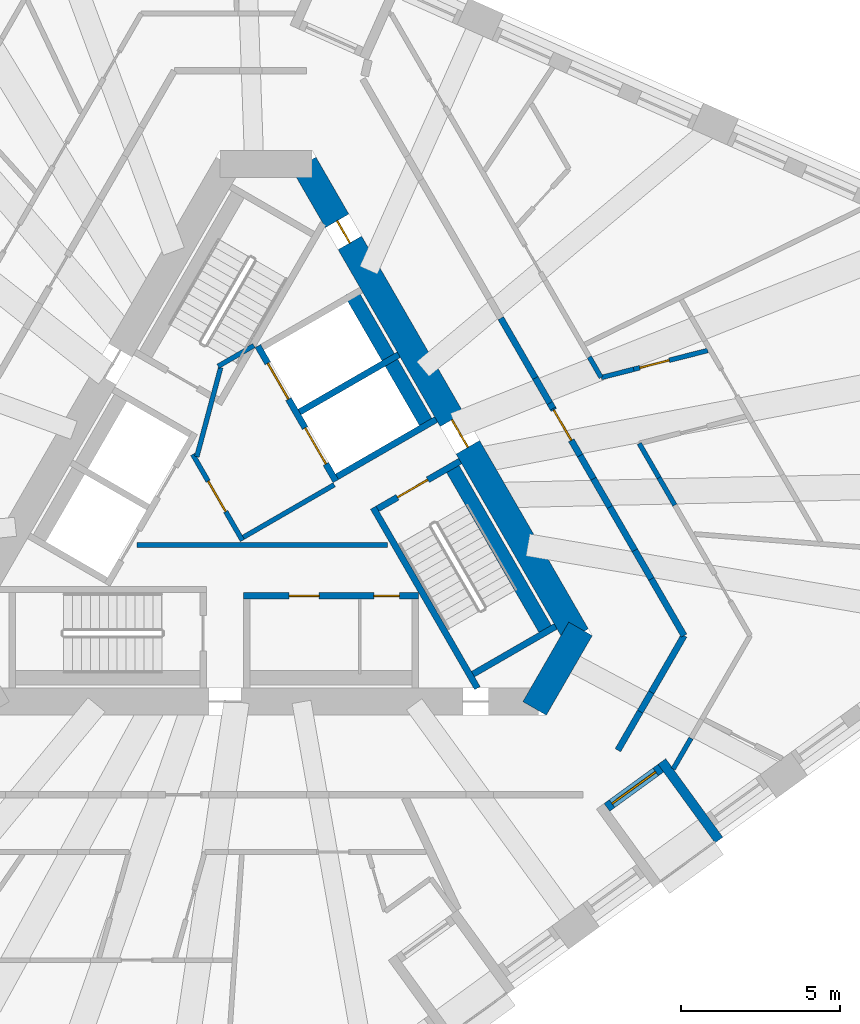
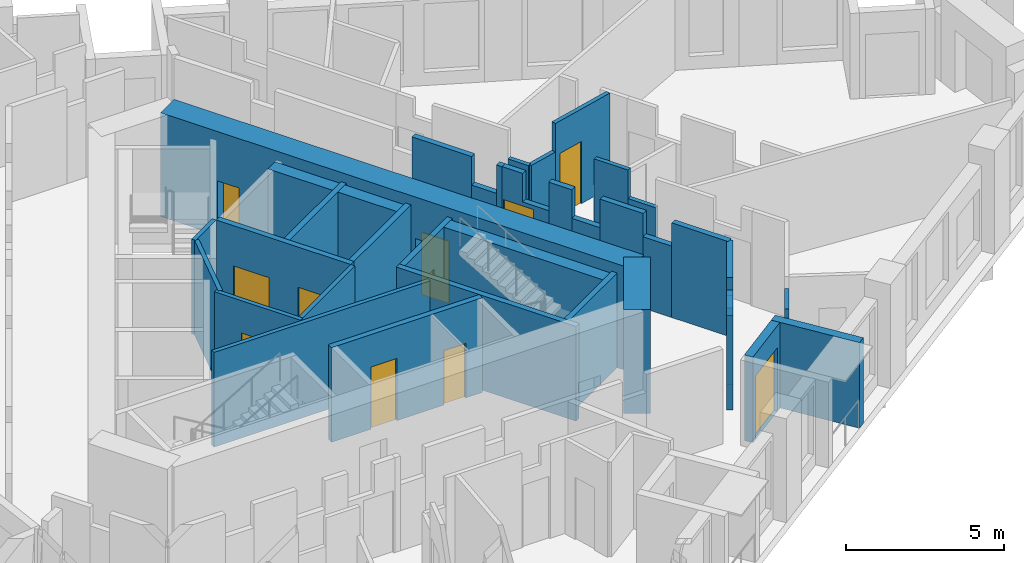
# One storey, part 5 of 14: 36 walls, 11 doors, 11 openings.
"""IFC4 building model written with IfcOpenShell, lengths in metres."""

from ifc_helpers import new_model, si_unit, direction, frame, frame_2d, origin, place, context, subcontext, project, spatial, polyline, rectangle, outline, extrude, material, layer, layer_set, type_object, element, fill, save


model = new_model("IFC4")

# Units and contexts
model_context = context("Model", 3, precision=1e-05, world=origin(), true_north=direction((0.0, 1.0)))
body_context = subcontext(model_context, "Body", "Model", "MODEL_VIEW")
ifc_project = project(units=[si_unit("LENGTHUNIT", "METRE"), si_unit("AREAUNIT", "SQUARE_METRE"), si_unit("VOLUMEUNIT", "CUBIC_METRE"), si_unit("PLANEANGLEUNIT", "RADIAN"), si_unit("MASSUNIT", "GRAM", prefix="KILO")], contexts=[model_context])

# Site, building, storey
site_placement = place(None, origin())
site = spatial("IfcSite", under=ifc_project, at=site_placement, CompositionType="ELEMENT")
building_placement = place(site_placement, origin())
building = spatial("IfcBuilding", under=site, at=building_placement, Name="Tramontana Tower", CompositionType="ELEMENT")
storey_placement = place(building_placement, frame((0.0, 0.0, 182.800048828125)))
storey = spatial("IfcBuildingStorey", under=building, at=storey_placement, Name="L42", CompositionType="ELEMENT", Elevation=182.800048828125)

# Wall
ifc_material_1 = material(Name="Concrete 70 MPa", Category="concrete")
ifc_layer_1 = layer(ifc_material_1, 0.85009765625)
ifc_layer_set_1 = layer_set([ifc_layer_1], Name="Core wall 850 70 MPa")
wall_type_1 = type_object("IfcWallType", Name="Core wall 850 70 MPa", PredefinedType="SHEAR", material=ifc_layer_set_1)
wall_1_placement = place(storey_placement, frame((8.4365234375, -6.53759765625, 0.0), z_axis=(0.0, 0.0, 1.0), x_axis=(0.499995765644, 0.866027848477, 0.0)))
element("IfcWall", 1, at=wall_1_placement, inside=storey, type_object=wall_type_1, Name="Core wall C4 L42", PredefinedType="SHEAR", context=body_context, shape_type="SweptSolid", body=[
    extrude(rectangle(XDim=2.88671875, YDim=0.85009765625, at=frame_2d((1.443359375, 0.0))), origin(), (0.0, 0.0, 1.0), 4.0),
])

# Wall, openings, doors
wall_2_placement = place(storey_placement, frame((9.757080078125, -4.25, 0.0), z_axis=(0.0, 0.0, 1.0), x_axis=(-0.499995289315, 0.866028123483, 0.0)))
wall_2 = element("IfcWall", 2, at=wall_2_placement, inside=storey, type_object=wall_type_1, Name="Core wall C5 L42", PredefinedType="SHEAR", context=body_context, shape_type="SweptSolid", body=[
    extrude(rectangle(XDim=17.118408203125, YDim=0.85009765625, at=frame_2d((8.55908203125, 0.0))), origin(), (0.0, 0.0, 1.0), 4.0),
])
opening_1_placement = place(wall_2_placement, frame((6.834228515625, 0.0, 0.0)))
opening_1 = element("IfcOpeningElement", 3, at=opening_1_placement, cuts=wall_2, Name="Opening RG3", PredefinedType="OPENING", context=body_context, shape_type="SweptSolid", body=[
    extrude(rectangle(XDim=1.0, YDim=2.39990234375, at=frame_2d((0.5, 1.199951171875))), frame((0.0, 0.43505859375, 0.0), z_axis=(0.0, -1.0, 0.0), x_axis=(1.0, 0.0, 0.0)), (0.0, 0.0, 1.0), 0.8701171875),
])
opening_2_placement = place(wall_2_placement, frame((14.251708984375, 0.0, 0.0)))
opening_2 = element("IfcOpeningElement", 4, at=opening_2_placement, cuts=wall_2, Name="Opening PD3", PredefinedType="OPENING", context=body_context, shape_type="SweptSolid", body=[
    extrude(rectangle(XDim=0.800048828125, YDim=2.10009765625, at=frame_2d((0.39990234375, 1.050048828125))), frame((0.0, 0.43505859375, 0.0), z_axis=(0.0, -1.0, 0.0), x_axis=(1.0, 0.0, 0.0)), (0.0, 0.0, 1.0), 0.8701171875),
])
ifc_material_2 = material(Name="Painted steel", Category="steel")
door_type_1 = type_object("IfcDoorType", Name="CUPBOARD DOOR 800", OperationType="SINGLE_SWING_LEFT", PredefinedType="DOOR", material=ifc_material_2)
door_1_placement = place(opening_2_placement, origin())
door_1 = element("IfcDoor", 5, at=door_1_placement, inside=storey, type_object=door_type_1, Name="Door PD3", OperationType="SINGLE_SWING_RIGHT", OverallHeight=2.10009765625, OverallWidth=0.800048828125, PredefinedType="DOOR", context=body_context, shape_type="SweptSolid", body=[
    extrude(rectangle(XDim=0.800048828125, YDim=2.10009765625, at=frame_2d((0.39990234375, 1.050048828125))), frame((0.0, 0.02490234375, 0.0), z_axis=(0.0, -1.0, 0.0), x_axis=(1.0, 0.0, 0.0)), (0.0, 0.0, 1.0), 0.050048828125),
])
fill(opening_2, door_1)
ifc_material_3 = material(Name="Painted steel", Category="steel")
door_type_2 = type_object("IfcDoorType", Name="RING DOOR 1000", OperationType="SINGLE_SWING_LEFT", PredefinedType="DOOR", material=ifc_material_3)
door_2_placement = place(opening_1_placement, origin())
door_2 = element("IfcDoor", 6, at=door_2_placement, inside=storey, type_object=door_type_2, Name="Door RG3", OperationType="SINGLE_SWING_RIGHT", OverallHeight=2.39990234375, OverallWidth=1.0, PredefinedType="DOOR", context=body_context, shape_type="SweptSolid", body=[
    extrude(rectangle(XDim=1.0, YDim=2.39990234375, at=frame_2d((0.5, 1.199951171875))), frame((0.0, 0.02490234375, 0.0), z_axis=(0.0, -1.0, 0.0), x_axis=(1.0, 0.0, 0.0)), (0.0, 0.0, 1.0), 0.050048828125),
])
fill(opening_1, door_2)

# Walls
ifc_material_4 = material(Name="Blockwork", Category="masonry")
ifc_layer_2 = layer(ifc_material_4, 0.199951171875)
ifc_layer_set_2 = layer_set([ifc_layer_2], Name="ENTRY WALL 200")
wall_type_2 = type_object("IfcWallType", Name="ENTRY WALL 200", PredefinedType="SOLIDWALL", material=ifc_layer_set_2)
wall_3_placement = place(storey_placement, frame((7.37548828125, 5.725341796875, 0.0), z_axis=(0.0, 0.0, 1.0), x_axis=(0.499975720793, -0.866039420937, 0.0)))
element("IfcWall", 7, at=wall_3_placement, inside=storey, type_object=wall_type_2, Name="Wall v41-ew0-4", PredefinedType="SOLIDWALL", context=body_context, shape_type="SweptSolid", body=[
    extrude(rectangle(XDim=2.16943359375, YDim=0.199951171875, at=frame_2d((1.084716796875, 0.0))), origin(), (0.0, 0.0, 1.0), 3.64990234375),
])
wall_4_placement = place(storey_placement, frame((8.460205078125, 3.846435546875, 0.0), z_axis=(0.0, 0.0, 1.0), x_axis=(0.499977996243, -0.866038107287, 0.0)))
element("IfcWall", 8, at=wall_4_placement, inside=storey, type_object=wall_type_2, Name="Wall v41-ew0-5", PredefinedType="SOLIDWALL", context=body_context, shape_type="SweptSolid", body=[
    extrude(rectangle(XDim=0.90966796875, YDim=0.199951171875, at=frame_2d((0.454833984375, 0.0))), origin(), (0.0, 0.0, 1.0), 2.550048828125),
])
wall_5_placement = place(storey_placement, frame((8.9150390625, 3.05859375, 0.0), z_axis=(0.0, 0.0, 1.0), x_axis=(0.500074377092, -0.865982457891, 0.0)))
element("IfcWall", 9, at=wall_5_placement, inside=storey, type_object=wall_type_2, Name="Wall v41-ew0-6", PredefinedType="SOLIDWALL", context=body_context, shape_type="SweptSolid", body=[
    extrude(rectangle(XDim=0.2001953125, YDim=0.199951171875, at=frame_2d((0.10009765625, 0.0))), origin(), (0.0, 0.0, 1.0), 3.64990234375),
])

# Wall, opening, door
wall_6_placement = place(storey_placement, frame((9.01513671875, 2.88525390625, 0.0), z_axis=(0.0, 0.0, 1.0), x_axis=(0.500036553983, -0.866004298304, 0.0)))
wall_6 = element("IfcWall", 10, at=wall_6_placement, inside=storey, type_object=wall_type_2, Name="Wall v41-ew0-7", PredefinedType="SOLIDWALL", context=body_context, shape_type="SweptSolid", body=[
    extrude(outline(polyline([(0.0, 0.0), (1.704345703125, 0.0), (1.7041015625, 2.550048828125), (0.750732421875, 2.550048828125), (0.750732421875, 3.64990234375), (0.0, 3.64990234375), (0.0, 0.0)])), frame((0.0, 0.10009765625, 0.0), z_axis=(0.0, -1.0, 0.0), x_axis=(1.0, 0.0, 0.0)), (0.0, 0.0, 1.0), 0.199951171875),
])
opening_3_placement = place(wall_6_placement, frame((0.050048828125, 0.0, 0.0)))
opening_3 = element("IfcOpeningElement", 11, at=opening_3_placement, cuts=wall_6, Name="Opening B4B-26", PredefinedType="OPENING", context=body_context, shape_type="SweptSolid", body=[
    extrude(rectangle(XDim=1.10009765625, YDim=2.39990234375, at=frame_2d((0.550048828125, 1.199951171875))), frame((0.0, 0.10986328125, 0.0), z_axis=(0.0, -1.0, 0.0), x_axis=(1.0, 0.0, 0.0)), (0.0, 0.0, 1.0), 0.219970703125),
])
ifc_material_5 = material(Name="Painted timber", Category="wood")
door_type_3 = type_object("IfcDoorType", Name="DOOR ENTRY 1100", OperationType="SINGLE_SWING_LEFT", PredefinedType="DOOR", material=ifc_material_5)
door_3_placement = place(opening_3_placement, origin())
door_3 = element("IfcDoor", 12, at=door_3_placement, inside=storey, type_object=door_type_3, Name="Door B4B-26", OperationType="SINGLE_SWING_RIGHT", OverallHeight=2.39990234375, OverallWidth=1.10009765625, PredefinedType="DOOR", context=body_context, shape_type="SweptSolid", body=[
    extrude(rectangle(XDim=1.10009765625, YDim=2.39990234375, at=frame_2d((0.550048828125, 1.199951171875))), frame((0.0, 0.02490234375, 0.0), z_axis=(0.0, -1.0, 0.0), x_axis=(1.0, 0.0, 0.0)), (0.0, 0.0, 1.0), 0.050048828125),
])
fill(opening_3, door_3)

# Walls
wall_7_placement = place(storey_placement, frame((9.867431640625, 1.4091796875, 0.0), z_axis=(0.0, 0.0, 1.0), x_axis=(0.499822960955, -0.8661275932, 0.0)))
element("IfcWall", 13, at=wall_7_placement, inside=storey, type_object=wall_type_2, Name="Wall v41-ew0-8", PredefinedType="SOLIDWALL", context=body_context, shape_type="SweptSolid", body=[
    extrude(rectangle(XDim=0.841064453125, YDim=0.199951171875, at=frame_2d((0.42041015625, 0.0))), origin(), (0.0, 0.0, 1.0), 3.64990234375),
])
wall_8_placement = place(storey_placement, frame((10.287841796875, 0.6806640625, 0.0), z_axis=(0.0, 0.0, 1.0), x_axis=(0.500079402778, -0.865979555715, 0.0)))
element("IfcWall", 14, at=wall_8_placement, inside=storey, type_object=wall_type_2, Name="Wall v41-ew0-9", PredefinedType="SOLIDWALL", context=body_context, shape_type="SweptSolid", body=[
    extrude(rectangle(XDim=1.026123046875, YDim=0.199951171875, at=frame_2d((0.51318359375, 0.0))), origin(), (0.0, 0.0, 1.0), 2.550048828125),
])
wall_9_placement = place(storey_placement, frame((10.801025390625, -0.2080078125, 0.0), z_axis=(0.0, 0.0, 1.0), x_axis=(0.500031717574, -0.86600709086, 0.0)))
element("IfcWall", 15, at=wall_9_placement, inside=storey, type_object=wall_type_2, Name="Wall v41-ew0-10", PredefinedType="SOLIDWALL", context=body_context, shape_type="SweptSolid", body=[
    extrude(rectangle(XDim=1.57177734375, YDim=0.199951171875, at=frame_2d((0.785888671875, 0.0))), origin(), (0.0, 0.0, 1.0), 3.64990234375),
])
wall_10_placement = place(storey_placement, frame((11.5869140625, -1.569091796875, 0.0), z_axis=(0.0, 0.0, 1.0), x_axis=(0.500054530113, -0.86599391852, 0.0)))
element("IfcWall", 16, at=wall_10_placement, inside=storey, type_object=wall_type_2, Name="Wall v41-ew0-11", PredefinedType="SOLIDWALL", context=body_context, shape_type="SweptSolid", body=[
    extrude(rectangle(XDim=1.03955078125, YDim=0.199951171875, at=frame_2d((0.519775390625, 0.0))), origin(), (0.0, 0.0, 1.0), 2.75),
])
wall_11_placement = place(storey_placement, frame((12.106689453125, -2.46923828125, 0.0), z_axis=(0.0, 0.0, 1.0), x_axis=(0.499982825521, -0.866035319247, 0.0)))
element("IfcWall", 17, at=wall_11_placement, inside=storey, type_object=wall_type_2, Name="Wall v41-ew0-12", PredefinedType="SOLIDWALL", context=body_context, shape_type="SweptSolid", body=[
    extrude(rectangle(XDim=2.05615234375, YDim=0.199951171875, at=frame_2d((1.028076171875, 0.0))), origin(), (0.0, 0.0, 1.0), 3.64990234375),
])
wall_12_placement = place(storey_placement, frame((13.134765625, -4.25, 0.0), z_axis=(0.0, 0.0, 1.0), x_axis=(-0.500030520673, -0.866007781949, 0.0)))
element("IfcWall", 18, at=wall_12_placement, inside=storey, type_object=wall_type_2, Name="Wall v41-ew1-0", PredefinedType="SOLIDWALL", context=body_context, shape_type="SweptSolid", body=[
    extrude(rectangle(XDim=2.057861328125, YDim=0.199951171875, at=frame_2d((1.02880859375, 0.0))), origin(), (0.0, 0.0, 1.0), 3.64990234375),
])
wall_13_placement = place(storey_placement, frame((12.105712890625, -6.0322265625, 0.0), z_axis=(0.0, 0.0, 1.0), x_axis=(-0.49996389635, -0.866046247233, 0.0)))
element("IfcWall", 19, at=wall_13_placement, inside=storey, type_object=wall_type_2, Name="Wall v41-ew1-1", PredefinedType="SOLIDWALL", context=body_context, shape_type="SweptSolid", body=[
    extrude(rectangle(XDim=0.7001953125, YDim=0.199951171875, at=frame_2d((0.35009765625, 0.0))), origin(), (0.0, 0.0, 1.0), 2.949951171875),
])
wall_14_placement = place(storey_placement, frame((11.755615234375, -6.638671875, 0.0), z_axis=(0.0, 0.0, 1.0), x_axis=(-0.49998411664, -0.866034573852, 0.0)))
element("IfcWall", 20, at=wall_14_placement, inside=storey, type_object=wall_type_2, Name="Wall v41-ew1-2", PredefinedType="SOLIDWALL", context=body_context, shape_type="SweptSolid", body=[
    extrude(rectangle(XDim=1.39990234375, YDim=0.199951171875, at=frame_2d((0.699951171875, 0.0))), origin(), (0.0, 0.0, 1.0), 3.64990234375),
])

# Wall, opening, door
ifc_material_6 = material(Name="Precast concrete 60 MPa", Category="concrete")
ifc_layer_3 = layer(ifc_material_6, 0.300048828125)
ifc_layer_set_3 = layer_set([ifc_layer_3], Name="LW1 Stone-faced loggia wall 300")
wall_type_3 = type_object("IfcWallType", Name="LW1 Stone-faced loggia wall 300", PredefinedType="SOLIDWALL", material=ifc_layer_set_3)
wall_15_placement = place(storey_placement, frame((10.710205078125, -9.647216796875, 0.0), z_axis=(0.0, 0.0, 1.0), x_axis=(0.808972932648, 0.587845893277, 0.0)))
wall_15 = element("IfcWall", 21, at=wall_15_placement, inside=storey, type_object=wall_type_3, Name="Loggia wall L42 G4S1.10", PredefinedType="SOLIDWALL", context=body_context, shape_type="SweptSolid", body=[
    extrude(rectangle(XDim=2.094482421875, YDim=0.300048828125, at=frame_2d((1.04736328125, 0.0))), origin(), (0.0, 0.0, 1.0), 3.300048828125),
])
opening_4_placement = place(wall_15_placement, frame((0.197265625, 0.0, 0.0)))
opening_4 = element("IfcOpeningElement", 22, at=opening_4_placement, cuts=wall_15, Name="Opening BD-4S1-10", PredefinedType="OPENING", context=body_context, shape_type="SweptSolid", body=[
    extrude(rectangle(XDim=1.699951171875, YDim=2.449951171875, at=frame_2d((0.85009765625, 1.22509765625))), frame((0.0, 0.159912109375, 0.0), z_axis=(0.0, -1.0, 0.0), x_axis=(1.0, 0.0, 0.0)), (0.0, 0.0, 1.0), 0.320068359375),
])
ifc_material_7 = material(Name="Aluminum frame, double glazing unit", Category="aluminium")
door_type_4 = type_object("IfcDoorType", Name="BD2 Sliding door 1.7 x 2.45", OperationType="SLIDING_TO_LEFT", PredefinedType="DOOR", material=ifc_material_7)
door_4_placement = place(opening_4_placement, origin())
door_4 = element("IfcDoor", 23, at=door_4_placement, inside=storey, type_object=door_type_4, Name="Loggia door L42 G4S1.10", OperationType="SLIDING_TO_LEFT", OverallHeight=2.449951171875, OverallWidth=1.699951171875, PredefinedType="DOOR", context=body_context, shape_type="SweptSolid", body=[
    extrude(rectangle(XDim=1.699951171875, YDim=2.449951171875, at=frame_2d((0.85009765625, 1.22509765625))), frame((0.0, 0.02490234375, 0.0), z_axis=(0.0, -1.0, 0.0), x_axis=(1.0, 0.0, 0.0)), (0.0, 0.0, 1.0), 0.050048828125),
])
fill(opening_4, door_4)

# Wall
wall_16_placement = place(storey_placement, frame((14.23046875, -10.674072265625, 0.0), z_axis=(0.0, 0.0, 1.0), x_axis=(-0.587776590479, 0.80902328748, 0.0)))
element("IfcWall", 24, at=wall_16_placement, inside=storey, type_object=wall_type_3, Name="Loggia return L42 G4S1.10b", PredefinedType="SOLIDWALL", context=body_context, shape_type="SweptSolid", body=[
    extrude(rectangle(XDim=3.050048828125, YDim=0.300048828125, at=frame_2d((1.52490234375, 0.0))), origin(), (0.0, 0.0, 1.0), 3.300048828125),
])

# Wall, opening, door
ifc_material_8 = material(Name="Gypsum board partition")
ifc_layer_4 = layer(ifc_material_8, 0.14990234375)
ifc_layer_set_4 = layer_set([ifc_layer_4], Name="PARTITION 150")
wall_type_4 = type_object("IfcWallType", Name="PARTITION 150", PredefinedType="PARTITIONING", material=ifc_layer_set_4)
wall_17_placement = place(storey_placement, frame((-0.744140625, -1.260986328125, 0.0), z_axis=(0.0, 0.0, 1.0), x_axis=(-0.500004234368, 0.866022959057, 0.0)))
wall_17 = element("IfcWall", 25, at=wall_17_placement, inside=storey, type_object=wall_type_4, Name="Wall ff-front", PredefinedType="PARTITIONING", context=body_context, shape_type="SweptSolid", body=[
    extrude(rectangle(XDim=3.125, YDim=0.14990234375, at=frame_2d((1.5625, 0.0))), origin(), (0.0, 0.0, 1.0), 3.64990234375),
])
opening_5_placement = place(wall_17_placement, frame((1.050048828125, 0.0, 0.0)))
opening_5 = element("IfcOpeningElement", 26, at=opening_5_placement, cuts=wall_17, Name="Opening FD1", PredefinedType="OPENING", context=body_context, shape_type="SweptSolid", body=[
    extrude(rectangle(XDim=1.10009765625, YDim=2.39990234375, at=frame_2d((0.550048828125, 1.199951171875))), frame((0.0, 0.0849609375, 0.0), z_axis=(0.0, -1.0, 0.0), x_axis=(1.0, 0.0, 0.0)), (0.0, 0.0, 1.0), 0.169921875),
])
door_5_placement = place(opening_5_placement, origin())
door_5 = element("IfcDoor", 27, at=door_5_placement, inside=storey, type_object=door_type_3, Name="Door FD1", OperationType="SINGLE_SWING_LEFT", OverallHeight=2.39990234375, OverallWidth=1.10009765625, PredefinedType="DOOR", context=body_context, shape_type="SweptSolid", body=[
    extrude(rectangle(XDim=1.10009765625, YDim=2.39990234375, at=frame_2d((0.550048828125, 1.199951171875))), frame((0.0, 0.02490234375, 0.0), z_axis=(0.0, -1.0, 0.0), x_axis=(1.0, 0.0, 0.0)), (0.0, 0.0, 1.0), 0.050048828125),
])
fill(opening_5, door_5)

# Walls
wall_18_placement = place(storey_placement, frame((-0.716796875, -1.15869140625, 0.0), z_axis=(0.0, 0.0, 1.0), x_axis=(0.866008176907, 0.50002983664, 0.0)))
element("IfcWall", 28, at=wall_18_placement, inside=storey, type_object=wall_type_4, Name="Wall ff-end0", PredefinedType="PARTITIONING", context=body_context, shape_type="SweptSolid", body=[
    extrude(rectangle(XDim=3.300048828125, YDim=0.14990234375, at=frame_2d((1.64990234375, 0.0))), origin(), (0.0, 0.0, 1.0), 3.64990234375),
])
wall_19_placement = place(storey_placement, frame((-2.177978515625, 1.372314453125, 0.0), z_axis=(0.0, 0.0, 1.0), x_axis=(0.258808958833, 0.96592852884, 0.0)))
element("IfcWall", 29, at=wall_19_placement, inside=storey, type_object=wall_type_4, Name="Wall ff-diag", PredefinedType="PARTITIONING", context=body_context, shape_type="SweptSolid", body=[
    extrude(rectangle(XDim=2.902587890625, YDim=0.14990234375, at=frame_2d((1.451171875, 0.0))), origin(), (0.0, 0.0, 1.0), 3.64990234375),
])
wall_20_placement = place(storey_placement, frame((-1.509765625, 4.21484375, 0.0), z_axis=(0.0, 0.0, 1.0), x_axis=(0.866085525409, 0.49989585183, 0.0)))
element("IfcWall", 30, at=wall_20_placement, inside=storey, type_object=wall_type_4, Name="Wall ff-end1", PredefinedType="PARTITIONING", context=body_context, shape_type="SweptSolid", body=[
    extrude(rectangle(XDim=1.300048828125, YDim=0.14990234375, at=frame_2d((0.64990234375, 0.0))), origin(), (0.0, 0.0, 1.0), 3.64990234375),
])
wall_21_placement = place(storey_placement, frame((-4.053466796875, -1.39990234375, 0.0), z_axis=(0.0, 0.0, 1.0), x_axis=(1.0, 0.0, 0.0)))
element("IfcWall", 31, at=wall_21_placement, inside=storey, type_object=wall_type_4, Name="Wall hub-cut1", PredefinedType="PARTITIONING", context=body_context, shape_type="SweptSolid", body=[
    extrude(rectangle(XDim=7.8759765625, YDim=0.14990234375, at=frame_2d((3.93798828125, 0.0))), origin(), (0.0, 0.0, 1.0), 3.64990234375),
])
wall_22_placement = place(storey_placement, frame((10.1572265625, 4.50732421875, 0.0), z_axis=(0.0, 0.0, 1.0), x_axis=(0.499807625453, -0.866136442796, 0.0)))
element("IfcWall", 32, at=wall_22_placement, inside=storey, type_object=wall_type_4, Name="Wall v41-pw33-5", PredefinedType="PARTITIONING", context=body_context, shape_type="SweptSolid", body=[
    extrude(rectangle(XDim=0.744384765625, YDim=0.14990234375, at=frame_2d((0.3720703125, 0.0))), origin(), (0.0, 0.0, 1.0), 2.550048828125),
])
wall_23_placement = place(storey_placement, frame((10.53271484375, 3.861083984375, 0.0), z_axis=(0.0, 0.0, 1.0), x_axis=(0.969221102538, 0.246191905624, 0.0)))
element("IfcWall", 33, at=wall_23_placement, inside=storey, type_object=wall_type_4, Name="Wall v41-pw42-0", PredefinedType="PARTITIONING", context=body_context, shape_type="SweptSolid", body=[
    extrude(rectangle(XDim=1.05224609375, YDim=0.14990234375, at=frame_2d((0.526123046875, 0.0))), origin(), (0.0, 0.0, 1.0), 2.550048828125),
])

# Wall, opening, door
wall_24_placement = place(storey_placement, frame((11.552490234375, 4.1201171875, 0.0), z_axis=(0.0, 0.0, 1.0), x_axis=(0.969232309968, 0.246147779423, 0.0)))
wall_24 = element("IfcWall", 34, at=wall_24_placement, inside=storey, type_object=wall_type_4, Name="Wall v41-pw42-1", PredefinedType="PARTITIONING", context=body_context, shape_type="SweptSolid", body=[
    extrude(rectangle(XDim=2.400146484375, YDim=0.14990234375, at=frame_2d((1.2001953125, 0.0))), origin(), (0.0, 0.0, 1.0), 3.64990234375),
])
opening_6_placement = place(wall_24_placement, frame((0.19921875, 0.0, 0.0)))
opening_6 = element("IfcOpeningElement", 35, at=opening_6_placement, cuts=wall_24, Name="Opening B4B-15", PredefinedType="OPENING", context=body_context, shape_type="SweptSolid", body=[
    extrude(rectangle(XDim=0.949951171875, YDim=2.39990234375, at=frame_2d((0.47509765625, 1.199951171875))), frame((0.0, 0.0849609375, 0.0), z_axis=(0.0, -1.0, 0.0), x_axis=(1.0, 0.0, 0.0)), (0.0, 0.0, 1.0), 0.169921875),
])
ifc_material_9 = material(Name="Painted timber", Category="wood")
door_type_5 = type_object("IfcDoorType", Name="DOOR ROOM 950", OperationType="SINGLE_SWING_LEFT", PredefinedType="DOOR", material=ifc_material_9)
door_6_placement = place(opening_6_placement, origin())
door_6 = element("IfcDoor", 36, at=door_6_placement, inside=storey, type_object=door_type_5, Name="Door B4B-15", OperationType="SINGLE_SWING_LEFT", OverallHeight=2.39990234375, OverallWidth=0.949951171875, PredefinedType="DOOR", context=body_context, shape_type="SweptSolid", body=[
    extrude(rectangle(XDim=0.949951171875, YDim=2.39990234375, at=frame_2d((0.47509765625, 1.199951171875))), frame((0.0, 0.02490234375, 0.0), z_axis=(0.0, -1.0, 0.0), x_axis=(1.0, 0.0, 0.0)), (0.0, 0.0, 1.0), 0.050048828125),
])
fill(opening_6, door_6)

# Walls
wall_25_placement = place(storey_placement, frame((11.727294921875, 1.78759765625, 0.0), z_axis=(0.0, 0.0, 1.0), x_axis=(0.499995303914, -0.866028115054, 0.0)))
element("IfcWall", 37, at=wall_25_placement, inside=storey, type_object=wall_type_4, Name="Wall v41-pw43-0", PredefinedType="PARTITIONING", context=body_context, shape_type="SweptSolid", body=[
    extrude(rectangle(XDim=1.2392578125, YDim=0.14990234375, at=frame_2d((0.61962890625, 0.0))), origin(), (0.0, 0.0, 1.0), 3.64990234375),
])
wall_26_placement = place(storey_placement, frame((12.346923828125, 0.71435546875, 0.0), z_axis=(0.0, 0.0, 1.0), x_axis=(0.499955472713, -0.866051110099, 0.0)))
element("IfcWall", 38, at=wall_26_placement, inside=storey, type_object=wall_type_4, Name="Wall v41-pw43-1", PredefinedType="PARTITIONING", context=body_context, shape_type="SweptSolid", body=[
    extrude(rectangle(XDim=0.99755859375, YDim=0.14990234375, at=frame_2d((0.498779296875, 0.0))), origin(), (0.0, 0.0, 1.0), 2.550048828125),
])
wall_27_placement = place(storey_placement, frame((13.3525390625, -7.47265625, 0.0), z_axis=(0.0, 0.0, 1.0), x_axis=(-0.500037474894, -0.866003766563, 0.0)))
element("IfcWall", 39, at=wall_27_placement, inside=storey, type_object=wall_type_4, Name="Wall v41-pw47-2", PredefinedType="PARTITIONING", context=body_context, shape_type="SweptSolid", body=[
    extrude(rectangle(XDim=1.1181640625, YDim=0.14990234375, at=frame_2d((0.55908203125, 0.0))), origin(), (0.0, 0.0, 1.0), 3.64990234375),
])
ifc_material_10 = material(Name="Concrete 70 MPa", Category="concrete")
ifc_layer_5 = layer(ifc_material_10, 0.449951171875)
ifc_layer_set_5 = layer_set([ifc_layer_5], Name="Concrete 70 MPa, 450 mm")
wall_type_5 = type_object("IfcWallType", Name="RC SHAFT BACK WALL 450", PredefinedType="SOLIDWALL", material=ifc_layer_set_5)
wall_28_placement = place(storey_placement, frame((8.8681640625, -4.2099609375, 0.0), z_axis=(0.0, 0.0, 1.0), x_axis=(-0.500009909098, 0.866019682689, 0.0)))
element("IfcWall", 40, at=wall_28_placement, inside=storey, type_object=wall_type_5, Name="Wall st3-back", PredefinedType="SOLIDWALL", context=body_context, shape_type="SweptSolid", body=[
    extrude(rectangle(XDim=6.199951171875, YDim=0.449951171875, at=frame_2d((3.10009765625, 0.0))), origin(), (0.0, 0.0, 1.0), 3.64990234375),
])
wall_29_placement = place(storey_placement, frame((5.113037109375, 2.2939453125, 0.0), z_axis=(0.0, 0.0, 1.0), x_axis=(-0.500002801628, 0.866023786258, 0.0)))
element("IfcWall", 41, at=wall_29_placement, inside=storey, type_object=wall_type_5, Name="Wall row2-back", PredefinedType="SOLIDWALL", context=body_context, shape_type="SweptSolid", body=[
    extrude(rectangle(XDim=4.89990234375, YDim=0.449951171875, at=frame_2d((2.449951171875, 0.0))), origin(), (0.0, 0.0, 1.0), 3.64990234375),
])
ifc_material_11 = material(Name="Concrete 70 MPa", Category="concrete")
ifc_layer_6 = layer(ifc_material_11, 0.199951171875)
ifc_layer_set_6 = layer_set([ifc_layer_6], Name="Concrete 70 MPa, 200 mm")
wall_type_6 = type_object("IfcWallType", Name="RC STAIR AND SHAFT WALL 200", PredefinedType="SOLIDWALL", material=ifc_layer_set_6)
wall_30_placement = place(storey_placement, frame((6.6396484375, -5.89990234375, 0.0), z_axis=(0.0, 0.0, 1.0), x_axis=(-0.499999959354, 0.866025427251, 0.0)))
element("IfcWall", 42, at=wall_30_placement, inside=storey, type_object=wall_type_6, Name="Wall st3-front", PredefinedType="SOLIDWALL", context=body_context, shape_type="SweptSolid", body=[
    extrude(rectangle(XDim=6.54931640625, YDim=0.199951171875, at=frame_2d((3.274658203125, 0.0))), origin(), (0.0, 0.0, 1.0), 3.64990234375),
])
wall_31_placement = place(storey_placement, frame((6.50146484375, -5.4609375, 0.0), z_axis=(0.0, 0.0, 1.0), x_axis=(0.866031096941, 0.499990139034, 0.0)))
element("IfcWall", 43, at=wall_31_placement, inside=storey, type_object=wall_type_6, Name="Wall st3-far", PredefinedType="SOLIDWALL", context=body_context, shape_type="SweptSolid", body=[
    extrude(rectangle(XDim=3.0, YDim=0.199951171875, at=frame_2d((1.5, 0.0))), origin(), (0.0, 0.0, 1.0), 3.64990234375),
])

# Wall, opening, door
wall_32_placement = place(storey_placement, frame((3.50146484375, -0.2646484375, 0.0), z_axis=(0.0, 0.0, 1.0), x_axis=(0.866031096941, 0.499990139034, 0.0)))
wall_32 = element("IfcWall", 44, at=wall_32_placement, inside=storey, type_object=wall_type_6, Name="Wall st3-near", PredefinedType="SOLIDWALL", context=body_context, shape_type="SweptSolid", body=[
    extrude(rectangle(XDim=3.0, YDim=0.199951171875, at=frame_2d((1.5, 0.0))), origin(), (0.0, 0.0, 1.0), 3.64990234375),
])
opening_7_placement = place(wall_32_placement, frame((0.72509765625, 0.0, 0.0)))
opening_7 = element("IfcOpeningElement", 45, at=opening_7_placement, cuts=wall_32, Name="Opening SD3", PredefinedType="OPENING", context=body_context, shape_type="SweptSolid", body=[
    extrude(rectangle(XDim=1.10009765625, YDim=2.39990234375, at=frame_2d((0.550048828125, 1.199951171875))), frame((0.0, 0.10986328125, 0.0), z_axis=(0.0, -1.0, 0.0), x_axis=(1.0, 0.0, 0.0)), (0.0, 0.0, 1.0), 0.219970703125),
])
ifc_material_12 = material(Name="Painted steel", Category="steel")
door_type_6 = type_object("IfcDoorType", Name="STAIR DOOR 1100", OperationType="SINGLE_SWING_LEFT", PredefinedType="DOOR", material=ifc_material_12)
door_7_placement = place(opening_7_placement, origin())
door_7 = element("IfcDoor", 46, at=door_7_placement, inside=storey, type_object=door_type_6, Name="Door SD3", OperationType="SINGLE_SWING_RIGHT", OverallHeight=2.39990234375, OverallWidth=1.10009765625, PredefinedType="DOOR", context=body_context, shape_type="SweptSolid", body=[
    extrude(rectangle(XDim=1.10009765625, YDim=2.39990234375, at=frame_2d((0.550048828125, 1.199951171875))), frame((0.0, 0.02490234375, 0.0), z_axis=(0.0, -1.0, 0.0), x_axis=(1.0, 0.0, 0.0)), (0.0, 0.0, 1.0), 0.050048828125),
])
fill(opening_7, door_7)

# Wall, openings, doors
wall_33_placement = place(storey_placement, frame((4.7900390625, -3.0, 0.0), z_axis=(0.0, 0.0, 1.0), x_axis=(-1.0, 0.0, 0.0)))
wall_33 = element("IfcWall", 47, at=wall_33_placement, inside=storey, type_object=wall_type_6, Name="Wall row1-front", PredefinedType="SOLIDWALL", context=body_context, shape_type="SweptSolid", body=[
    extrude(rectangle(XDim=5.5, YDim=0.199951171875, at=frame_2d((2.75, 0.0))), origin(), (0.0, 0.0, 1.0), 3.64990234375),
])
opening_8_placement = place(wall_33_placement, frame((3.1201171875, 0.0, 0.0)))
opening_8 = element("IfcOpeningElement", 48, at=opening_8_placement, cuts=wall_33, Name="Opening RD-1A", PredefinedType="OPENING", context=body_context, shape_type="SweptSolid", body=[
    extrude(rectangle(XDim=0.949951171875, YDim=2.39990234375, at=frame_2d((0.47509765625, 1.199951171875))), frame((0.0, 0.10986328125, 0.0), z_axis=(0.0, -1.0, 0.0), x_axis=(1.0, 0.0, 0.0)), (0.0, 0.0, 1.0), 0.219970703125),
])
opening_9_placement = place(wall_33_placement, frame((0.60498046875, 0.0, 0.0)))
opening_9 = element("IfcOpeningElement", 49, at=opening_9_placement, cuts=wall_33, Name="Opening RD-1B", PredefinedType="OPENING", context=body_context, shape_type="SweptSolid", body=[
    extrude(rectangle(XDim=0.800048828125, YDim=2.10009765625, at=frame_2d((0.39990234375, 1.050048828125))), frame((0.0, 0.10986328125, 0.0), z_axis=(0.0, -1.0, 0.0), x_axis=(1.0, 0.0, 0.0)), (0.0, 0.0, 1.0), 0.219970703125),
])
door_8_placement = place(opening_9_placement, origin())
door_8 = element("IfcDoor", 50, at=door_8_placement, inside=storey, type_object=door_type_1, Name="Door RD-1B", OperationType="SINGLE_SWING_RIGHT", OverallHeight=2.10009765625, OverallWidth=0.800048828125, PredefinedType="DOOR", context=body_context, shape_type="SweptSolid", body=[
    extrude(rectangle(XDim=0.800048828125, YDim=2.10009765625, at=frame_2d((0.39990234375, 1.050048828125))), frame((0.0, 0.02490234375, 0.0), z_axis=(0.0, -1.0, 0.0), x_axis=(1.0, 0.0, 0.0)), (0.0, 0.0, 1.0), 0.050048828125),
])
fill(opening_9, door_8)
door_9_placement = place(opening_8_placement, origin())
door_9 = element("IfcDoor", 51, at=door_9_placement, inside=storey, type_object=door_type_5, Name="Door RD-1A", OperationType="SINGLE_SWING_LEFT", OverallHeight=2.39990234375, OverallWidth=0.949951171875, PredefinedType="DOOR", context=body_context, shape_type="SweptSolid", body=[
    extrude(rectangle(XDim=0.949951171875, YDim=2.39990234375, at=frame_2d((0.47509765625, 1.199951171875))), frame((0.0, 0.02490234375, 0.0), z_axis=(0.0, -1.0, 0.0), x_axis=(1.0, 0.0, 0.0)), (0.0, 0.0, 1.0), 0.050048828125),
])
fill(opening_8, door_9)

wall_34_placement = place(storey_placement, frame((2.190185546875, 0.6064453125, 0.0), z_axis=(0.0, 0.0, 1.0), x_axis=(-0.500002801628, 0.866023786258, 0.0)))
wall_34 = element("IfcWall", 52, at=wall_34_placement, inside=storey, type_object=wall_type_6, Name="Wall row2-front", PredefinedType="SOLIDWALL", context=body_context, shape_type="SweptSolid", body=[
    extrude(rectangle(XDim=4.89990234375, YDim=0.199951171875, at=frame_2d((2.449951171875, 0.0))), origin(), (0.0, 0.0, 1.0), 3.64990234375),
])
opening_10_placement = place(wall_34_placement, frame((0.625, 0.0, 0.0)))
opening_10 = element("IfcOpeningElement", 53, at=opening_10_placement, cuts=wall_34, Name="Opening LD-F1", PredefinedType="OPENING", context=body_context, shape_type="SweptSolid", body=[
    extrude(rectangle(XDim=1.300048828125, YDim=2.10009765625, at=frame_2d((0.64990234375, 1.050048828125))), frame((0.0, 0.10986328125, 0.0), z_axis=(0.0, -1.0, 0.0), x_axis=(1.0, 0.0, 0.0)), (0.0, 0.0, 1.0), 0.219970703125),
])
opening_11_placement = place(wall_34_placement, frame((2.97509765625, 0.0, 0.0)))
opening_11 = element("IfcOpeningElement", 54, at=opening_11_placement, cuts=wall_34, Name="Opening LD-F2", PredefinedType="OPENING", context=body_context, shape_type="SweptSolid", body=[
    extrude(rectangle(XDim=1.300048828125, YDim=2.10009765625, at=frame_2d((0.64990234375, 1.050048828125))), frame((0.0, 0.10986328125, 0.0), z_axis=(0.0, -1.0, 0.0), x_axis=(1.0, 0.0, 0.0)), (0.0, 0.0, 1.0), 0.219970703125),
])
ifc_material_13 = material(Name="Brushed steel", Category="steel")
door_type_7 = type_object("IfcDoorType", Name="LANDING DOOR 1300", OperationType="SINGLE_SWING_LEFT", PredefinedType="DOOR", material=ifc_material_13)
door_10_placement = place(opening_10_placement, origin())
door_10 = element("IfcDoor", 55, at=door_10_placement, inside=storey, type_object=door_type_7, Name="Door LD-F1", OperationType="SLIDING_TO_LEFT", OverallHeight=2.10009765625, OverallWidth=1.300048828125, PredefinedType="DOOR", context=body_context, shape_type="SweptSolid", body=[
    extrude(rectangle(XDim=1.300048828125, YDim=2.10009765625, at=frame_2d((0.64990234375, 1.050048828125))), frame((0.0, 0.02490234375, 0.0), z_axis=(0.0, -1.0, 0.0), x_axis=(1.0, 0.0, 0.0)), (0.0, 0.0, 1.0), 0.050048828125),
])
fill(opening_10, door_10)
door_11_placement = place(opening_11_placement, origin())
door_11 = element("IfcDoor", 56, at=door_11_placement, inside=storey, type_object=door_type_7, Name="Door LD-F2", OperationType="SLIDING_TO_RIGHT", OverallHeight=2.10009765625, OverallWidth=1.300048828125, PredefinedType="DOOR", context=body_context, shape_type="SweptSolid", body=[
    extrude(rectangle(XDim=1.300048828125, YDim=2.10009765625, at=frame_2d((0.64990234375, 1.050048828125))), frame((0.0, 0.02490234375, 0.0), z_axis=(0.0, -1.0, 0.0), x_axis=(1.0, 0.0, 0.0)), (0.0, 0.0, 1.0), 0.050048828125),
])
fill(opening_11, door_11)

# Walls
for number, where, z_axis, x_axis, name in (
    (57, (2.226806640625, 0.742919921875, 0.0), (0.0, 0.0, 1.0), (0.866018442252, 0.500012057535, 0.0), "Wall row2-side0"),
    (58, (1.0517578125, 2.778076171875, 0.0), (0.0, 0.0, 1.0), (0.866018442252, 0.500012057535, 0.0), "Wall row2-side1"),
):
    element("IfcWall", number, at=place(storey_placement, frame(where, z_axis=z_axis, x_axis=x_axis)), inside=storey, type_object=wall_type_6, Name=name, PredefinedType="SOLIDWALL", context=body_context, shape_type="SweptSolid", body=[
        extrude(rectangle(XDim=3.60009765625, YDim=0.199951171875, at=frame_2d((1.800048828125, 0.0))), origin(), (0.0, 0.0, 1.0), 3.64990234375),
    ])

save(model, "model.ifc")
